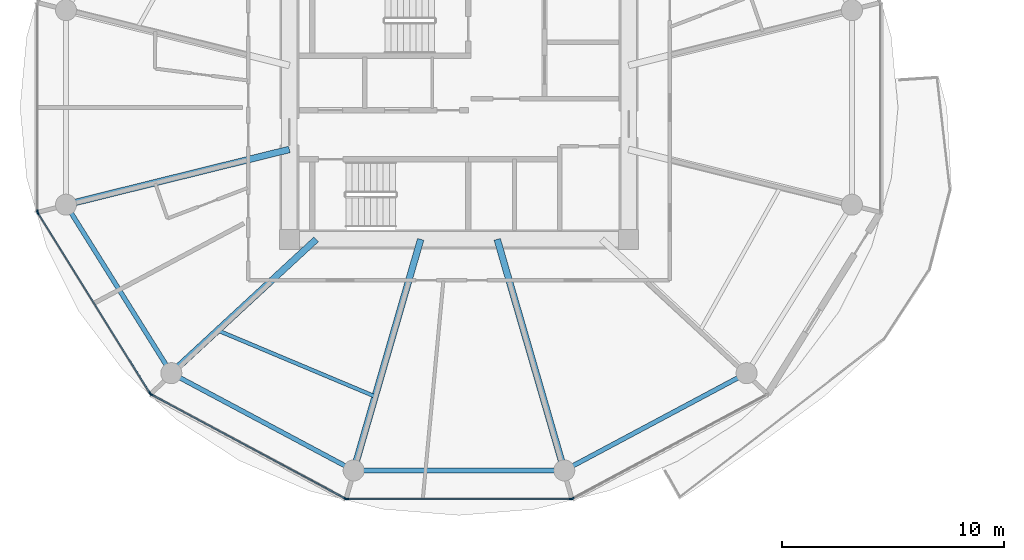
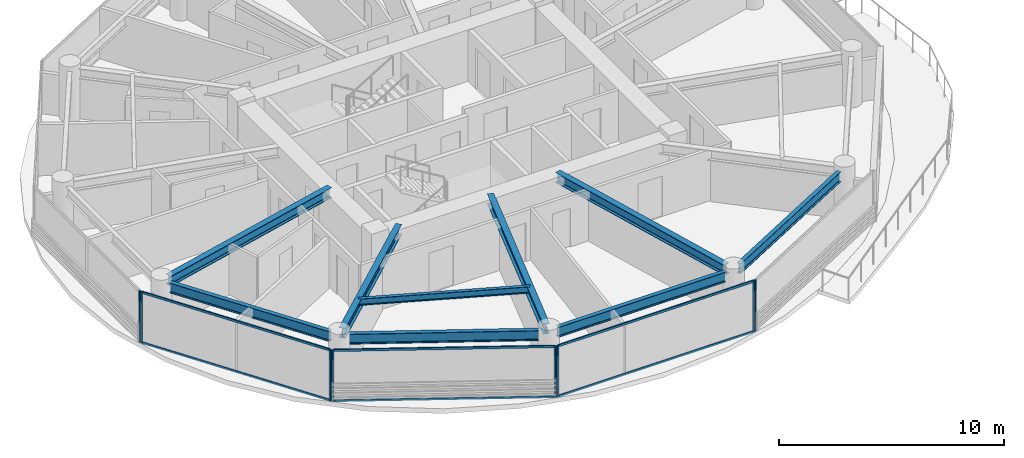
# One storey, part 2 of 26: 14 members, 9 beams, 5 elements without a shape of their own.
"""IFC4 building model written with IfcOpenShell, lengths in metres."""

from ifc_helpers import new_model, si_unit, direction, frame, origin, origin_2d, place, context, subcontext, project, spatial, rectangle, i_section, extrude, source, transform, mapped, material, layer, layer_set, material_profile, profile_set, type_object, type_shapes, element, aggregate, save


model = new_model("IFC4")

# Units and contexts
model_context = context("Model", 3, precision=1e-05, world=origin(), true_north=direction((0.0, 1.0)))
body_context = subcontext(model_context, "Body", "Model", "MODEL_VIEW")
ifc_project = project(units=[si_unit("LENGTHUNIT", "METRE"), si_unit("AREAUNIT", "SQUARE_METRE"), si_unit("VOLUMEUNIT", "CUBIC_METRE"), si_unit("PLANEANGLEUNIT", "RADIAN"), si_unit("MASSUNIT", "GRAM", prefix="KILO")], contexts=[model_context])

# Site, building, storey
site_placement = place(None, origin())
site = spatial("IfcSite", under=ifc_project, at=site_placement, CompositionType="ELEMENT")
building_placement = place(site_placement, origin())
building = spatial("IfcBuilding", under=site, at=building_placement, Name="Norrkilde Senior Care Towers", CompositionType="ELEMENT")
storey_placement = place(building_placement, frame((0.0, 0.0, 64.300048828125)))
storey = spatial("IfcBuildingStorey", under=building, at=storey_placement, Name="L19", CompositionType="ELEMENT", Elevation=64.300048828125)

# Beams
ifc_material_1 = material(Name="Steel S355", Category="steel")
ifc_material_profile_1 = material_profile(ifc_material_1, i_section(OverallWidth=0.2099609375, OverallDepth=0.550048828125, WebThickness=0.010986328125, FlangeThickness=0.01708984375, FilletRadius=0.02392578125, at=origin_2d()), Name="IPE 550")
ifc_profile_set_1 = profile_set([ifc_material_profile_1], Name="Steel S355")
beam_type_1 = type_object("IfcBeamType", Name="Perimeter Ring Spandrel Z1 IPE550", PredefinedType="SPANDREL", material=ifc_profile_set_1)
shared_shape_1 = source(origin(), body_context, "Body", "SweptSolid", [
    extrude(i_section(OverallWidth=0.2099609375, OverallDepth=0.550048828125, WebThickness=0.010986328125, FlangeThickness=0.01708984375, FilletRadius=0.02392578125, at=origin_2d()), origin(), (0.0, 0.0, 1.0), 8.090576171875),
])
beam_1_placement = place(storey_placement, frame((-45.494140625, -4.755859375, 2.514892578125), z_axis=(0.530004364821, -0.84799491347, 0.0), x_axis=(0.84799491347, 0.530004364821, 0.0)))
element("IfcBeam", 1, at=beam_1_placement, inside=storey, type_object=beam_type_1, Name="L19 Drum W Perimeter Spandrel 07", PredefinedType="SPANDREL", context=body_context, shape_type="MappedRepresentation", body=[
    mapped(shared_shape_1, transform((0.0, 0.0, 0.0), x_axis=(1.0, 0.0, 0.0), y_axis=(0.0, 1.0, 0.0), z_axis=(0.0, 0.0, 1.0), scale=1.0)),
])
ifc_material_profile_2 = material_profile(ifc_material_1, i_section(OverallWidth=0.300048828125, OverallDepth=0.550048828125, WebThickness=0.014892578125, FlangeThickness=0.029052734375, FilletRadius=0.027099609375, at=origin_2d()), Name="HEB 550")
ifc_profile_set_2 = profile_set([ifc_material_profile_2], Name="Steel S355")
beam_type_2 = type_object("IfcBeamType", Name="Radial Floor Beam Z1 HEB550", PredefinedType="BEAM", material=ifc_profile_set_2)
shared_shape_2 = source(origin(), body_context, "Body", "SweptSolid", [
    extrude(i_section(OverallWidth=0.300048828125, OverallDepth=0.550048828125, WebThickness=0.014892578125, FlangeThickness=0.029052734375, FilletRadius=0.027099609375, at=origin_2d()), origin(), (0.0, 0.0, 1.0), 9.94384765625),
])
beam_2_placement = place(storey_placement, frame((-35.64990234375, -1.893310546875, 2.514892578125), z_axis=(-0.970707425182, -0.240264634718, 0.0), x_axis=(0.240264634718, -0.970707425182, 0.0)))
element("IfcBeam", 2, at=beam_2_placement, inside=storey, type_object=beam_type_2, Name="L19 Drum W Radial Floor Beam 07", PredefinedType="BEAM", context=body_context, shape_type="MappedRepresentation", body=[
    mapped(shared_shape_2, transform((0.0, 0.0, 0.0), x_axis=(1.0, 0.0, 0.0), y_axis=(0.0, 1.0, 0.0), z_axis=(0.0, 0.0, 1.0), scale=1.0)),
])
shared_shape_3 = source(origin(), body_context, "Body", "SweptSolid", [
    extrude(i_section(OverallWidth=0.2099609375, OverallDepth=0.550048828125, WebThickness=0.010986328125, FlangeThickness=0.01708984375, FilletRadius=0.02392578125, at=origin_2d()), origin(), (0.0, 0.0, 1.0), 8.452880859375),
])
for number, where, z_axis, x_axis, name in (
    (3, (-40.591552734375, -12.190185546875, 2.514892578125), (0.882368931134, -0.470558252898, 0.0), (0.470558252898, 0.882368931134, 0.0), "L19 Drum W Perimeter Spandrel 08"),
    (4, (-22.866943359375, -16.167724609375, 2.514892578125), (0.882368931134, 0.470558252898, 0.0), (-0.470558252898, 0.882368931134, 0.0), "L19 Drum W Perimeter Spandrel 10"),
):
    element("IfcBeam", number, at=place(storey_placement, frame(where, z_axis=z_axis, x_axis=x_axis)), inside=storey, type_object=beam_type_1, Name=name, PredefinedType="SPANDREL", context=body_context, shape_type="MappedRepresentation", body=[
        mapped(shared_shape_3, transform((0.0, 0.0, 0.0), x_axis=(1.0, 0.0, 0.0), y_axis=(0.0, 1.0, 0.0), z_axis=(0.0, 0.0, 1.0), scale=1.0)),
    ])
shared_shape_4 = source(origin(), body_context, "Body", "SweptSolid", [
    extrude(i_section(OverallWidth=0.300048828125, OverallDepth=0.550048828125, WebThickness=0.014892578125, FlangeThickness=0.029052734375, FilletRadius=0.027099609375, at=origin_2d()), origin(), (0.0, 0.0, 1.0), 8.459716796875),
])
beam_3_placement = place(storey_placement, frame((-34.44140625, -5.949951171875, 2.514892578125), z_axis=(-0.734573269108, -0.678529374686, 0.0), x_axis=(0.678529374686, -0.734573269108, 0.0)))
element("IfcBeam", 5, at=beam_3_placement, inside=storey, type_object=beam_type_2, Name="L19 Drum W Radial Floor Beam 08", PredefinedType="BEAM", context=body_context, shape_type="MappedRepresentation", body=[
    mapped(shared_shape_4, transform((0.0, 0.0, 0.0), x_axis=(1.0, 0.0, 0.0), y_axis=(0.0, 1.0, 0.0), z_axis=(0.0, 0.0, 1.0), scale=1.0)),
])
shared_shape_5 = source(origin(), body_context, "Body", "SweptSolid", [
    extrude(i_section(OverallWidth=0.2099609375, OverallDepth=0.550048828125, WebThickness=0.010986328125, FlangeThickness=0.01708984375, FilletRadius=0.02392578125, at=origin_2d()), origin(), (0.0, 0.0, 1.0), 8.62841796875),
])
type_shapes(beam_type_1, [shared_shape_1, shared_shape_3, shared_shape_5])
beam_4_placement = place(storey_placement, frame((-32.314208984375, -16.37255859375, 2.514892578125), z_axis=(1.0, 0.0, 0.0), x_axis=(0.0, 1.0, 0.0)))
element("IfcBeam", 6, at=beam_4_placement, inside=storey, type_object=beam_type_1, Name="L19 Drum W Perimeter Spandrel 09", PredefinedType="SPANDREL", context=body_context, shape_type="MappedRepresentation", body=[
    mapped(shared_shape_5, transform((0.0, 0.0, 0.0), x_axis=(1.0, 0.0, 0.0), y_axis=(0.0, 1.0, 0.0), z_axis=(0.0, 0.0, 1.0), scale=1.0)),
])
shared_shape_6 = source(origin(), body_context, "Body", "SweptSolid", [
    extrude(i_section(OverallWidth=0.300048828125, OverallDepth=0.550048828125, WebThickness=0.014892578125, FlangeThickness=0.029052734375, FilletRadius=0.027099609375, at=origin_2d()), origin(), (0.0, 0.0, 1.0), 10.4169921875),
])
type_shapes(beam_type_2, [shared_shape_2, shared_shape_4, shared_shape_6])
for number, where, z_axis, x_axis, name in (
    (7, (-29.72607421875, -5.949951171875, 2.514892578125), (-0.278591250785, -0.960409764104, 0.0), (0.960409764104, -0.278591250785, 0.0), "L19 Drum W Radial Floor Beam 09"),
    (8, (-26.27392578125, -5.949951171875, 2.514892578125), (0.278591250785, -0.960409764104, 0.0), (0.960409764104, 0.278591250785, 0.0), "L19 Drum W Radial Floor Beam 10"),
):
    element("IfcBeam", number, at=place(storey_placement, frame(where, z_axis=z_axis, x_axis=x_axis)), inside=storey, type_object=beam_type_2, Name=name, PredefinedType="BEAM", context=body_context, shape_type="MappedRepresentation", body=[
        mapped(shared_shape_6, transform((0.0, 0.0, 0.0), x_axis=(1.0, 0.0, 0.0), y_axis=(0.0, 1.0, 0.0), z_axis=(0.0, 0.0, 1.0), scale=1.0)),
    ])
ifc_material_profile_3 = material_profile(ifc_material_1, i_section(OverallWidth=0.169921875, OverallDepth=0.360107421875, WebThickness=0.008056640625, FlangeThickness=0.0126953125, FilletRadius=0.01806640625, at=origin_2d()), Name="IPE 360")
ifc_profile_set_3 = profile_set([ifc_material_profile_3], Name="Steel S355")
beam_type_3 = type_object("IfcBeamType", Name="Secondary Floor Joist IPE360", PredefinedType="JOIST", material=ifc_profile_set_3)
shared_shape_7 = source(origin(), body_context, "Body", "SweptSolid", [
    extrude(i_section(OverallWidth=0.169921875, OverallDepth=0.360107421875, WebThickness=0.008056640625, FlangeThickness=0.0126953125, FilletRadius=0.01806640625, at=origin_2d()), origin(), (0.0, 0.0, 1.0), 7.703857421875),
])
type_shapes(beam_type_3, [shared_shape_7])
beam_5_placement = place(storey_placement, frame((-38.884521484375, -10.05419921875, 2.60986328125), z_axis=(0.921982784465, -0.387230868023, 0.0), x_axis=(0.387230868023, 0.921982784465, 0.0)))
element("IfcBeam", 9, at=beam_5_placement, inside=storey, type_object=beam_type_3, Name="L19 Drum W Secondary Floor Joist 3", PredefinedType="JOIST", context=body_context, shape_type="MappedRepresentation", body=[
    mapped(shared_shape_7, transform((0.0, 0.0, 0.0), x_axis=(1.0, 0.0, 0.0), y_axis=(0.0, 1.0, 0.0), z_axis=(0.0, 0.0, 1.0), scale=1.0)),
])

# Curtain wall, member
ifc_material_2 = material(Name="Triple Low-E Insulated Glazing", Category="glass")
ifc_layer = layer(ifc_material_2, 0.199951171875)
ifc_layer_set = layer_set([ifc_layer], Name="Triple Low-E Insulated Glazing")
curtain_wall_type = type_object("IfcCurtainWallType", Name="CW2 Zone 1 Memory Care Curtain Wall", PredefinedType="NOTDEFINED", material=ifc_layer_set)
curtain_wall_1_placement = place(storey_placement, origin())
curtain_wall_1 = element("IfcCurtainWall", 10, at=curtain_wall_1_placement, inside=storey, type_object=curtain_wall_type, Name="L19 Drum W Curtain Wall 05", PredefinedType="NOTDEFINED")
ifc_material_3 = material(Name="Anodised Aluminium", Category="aluminium")
ifc_material_profile_4 = material_profile(ifc_material_3, rectangle(XDim=0.06494140625, YDim=0.159912109375, at=origin_2d()), Name="ALU MULL 65x160")
ifc_profile_set_4 = profile_set([ifc_material_profile_4], Name="Anodised Aluminium")
member_type_1 = type_object("IfcMemberType", Name="Curtain Wall Mullion Z1-Z2 65x160", PredefinedType="MULLION", material=ifc_profile_set_4)
shared_shape_8 = source(origin(), body_context, "Body", "SweptSolid", [
    extrude(rectangle(XDim=0.06494140625, YDim=0.159912109375, at=origin_2d()), origin(), (0.0, 0.0, 1.0), 2.7900390625),
])
type_shapes(member_type_1, [shared_shape_8])
member_1_placement = place(storey_placement, frame((-47.009521484375, -4.69873046875, 0.0), z_axis=(0.0, 0.0, 1.0), x_axis=(-1.0, 0.0, 0.0)))
member_1 = element("IfcMember", 11, at=member_1_placement, type_object=member_type_1, Name="CW-2 mullion 1", PredefinedType="MULLION", context=body_context, shape_type="MappedRepresentation", body=[
    mapped(shared_shape_8, transform((0.0, 0.0, 0.0), x_axis=(1.0, 0.0, 0.0), y_axis=(0.0, 1.0, 0.0), z_axis=(0.0, 0.0, 1.0), scale=1.0)),
])
aggregate(curtain_wall_1, [member_1])

# Curtain wall, members
curtain_wall_2_placement = place(storey_placement, origin())
curtain_wall_2 = element("IfcCurtainWall", 12, at=curtain_wall_2_placement, inside=storey, type_object=curtain_wall_type, Name="L19 Drum W Curtain Wall 06", PredefinedType="NOTDEFINED")
member_2_placement = place(storey_placement, frame((-41.93310546875, -12.898193359375, 0.0), z_axis=(0.0, 0.0, 1.0), x_axis=(-0.849305943117, -0.527900951871, 0.0)))
member_2 = element("IfcMember", 13, at=member_2_placement, type_object=member_type_1, Name="CW-2 mullion 1", PredefinedType="MULLION", context=body_context, shape_type="MappedRepresentation", body=[
    mapped(shared_shape_8, transform((0.0, 0.0, 0.0), x_axis=(1.0, 0.0, 0.0), y_axis=(0.0, 1.0, 0.0), z_axis=(0.0, 0.0, 1.0), scale=1.0)),
])
member_3_placement = place(storey_placement, frame((-46.9921875, -4.7587890625, 0.0), z_axis=(0.0, 0.0, 1.0), x_axis=(-0.849305943117, -0.527900951871, 0.0)))
member_3 = element("IfcMember", 14, at=member_3_placement, type_object=member_type_1, Name="CW-2 mullion 2", PredefinedType="MULLION", context=body_context, shape_type="MappedRepresentation", body=[
    mapped(shared_shape_8, transform((0.0, 0.0, 0.0), x_axis=(1.0, 0.0, 0.0), y_axis=(0.0, 1.0, 0.0), z_axis=(0.0, 0.0, 1.0), scale=1.0)),
])

curtain_wall_3_placement = place(storey_placement, origin())
curtain_wall_3 = element("IfcCurtainWall", 15, at=curtain_wall_3_placement, inside=storey, type_object=curtain_wall_type, Name="L19 Drum W Curtain Wall 07", PredefinedType="NOTDEFINED")
member_4_placement = place(storey_placement, frame((-33.122314453125, -17.641845703125, 0.0), z_axis=(0.0, 0.0, 1.0), x_axis=(-0.472607802456, -0.881272866403, 0.0)))
member_4 = element("IfcMember", 16, at=member_4_placement, type_object=member_type_1, Name="CW-2 mullion 1", PredefinedType="MULLION", context=body_context, shape_type="MappedRepresentation", body=[
    mapped(shared_shape_8, transform((0.0, 0.0, 0.0), x_axis=(1.0, 0.0, 0.0), y_axis=(0.0, 1.0, 0.0), z_axis=(0.0, 0.0, 1.0), scale=1.0)),
])
member_5_placement = place(storey_placement, frame((-41.88720703125, -12.941162109375, 0.0), z_axis=(0.0, 0.0, 1.0), x_axis=(-0.472607802456, -0.881272866403, 0.0)))
member_5 = element("IfcMember", 17, at=member_5_placement, type_object=member_type_1, Name="CW-2 mullion 2", PredefinedType="MULLION", context=body_context, shape_type="MappedRepresentation", body=[
    mapped(shared_shape_8, transform((0.0, 0.0, 0.0), x_axis=(1.0, 0.0, 0.0), y_axis=(0.0, 1.0, 0.0), z_axis=(0.0, 0.0, 1.0), scale=1.0)),
])

curtain_wall_4_placement = place(storey_placement, origin())
curtain_wall_4 = element("IfcCurtainWall", 18, at=curtain_wall_4_placement, inside=storey, type_object=curtain_wall_type, Name="L19 Drum W Curtain Wall 08", PredefinedType="NOTDEFINED")
member_6_placement = place(storey_placement, frame((-22.93896484375, -17.6572265625, 0.0), z_axis=(0.0, 0.0, 1.0), x_axis=(0.0, -1.0, 0.0)))
member_6 = element("IfcMember", 19, at=member_6_placement, type_object=member_type_1, Name="CW-2 mullion 1", PredefinedType="MULLION", context=body_context, shape_type="MappedRepresentation", body=[
    mapped(shared_shape_8, transform((0.0, 0.0, 0.0), x_axis=(1.0, 0.0, 0.0), y_axis=(0.0, 1.0, 0.0), z_axis=(0.0, 0.0, 1.0), scale=1.0)),
])
member_7_placement = place(storey_placement, frame((-33.06103515625, -17.6572265625, 0.0), z_axis=(0.0, 0.0, 1.0), x_axis=(0.0, -1.0, 0.0)))
member_7 = element("IfcMember", 20, at=member_7_placement, type_object=member_type_1, Name="CW-2 mullion 2", PredefinedType="MULLION", context=body_context, shape_type="MappedRepresentation", body=[
    mapped(shared_shape_8, transform((0.0, 0.0, 0.0), x_axis=(1.0, 0.0, 0.0), y_axis=(0.0, 1.0, 0.0), z_axis=(0.0, 0.0, 1.0), scale=1.0)),
])

# Curtain wall, member
curtain_wall_5_placement = place(storey_placement, origin())
curtain_wall_5 = element("IfcCurtainWall", 21, at=curtain_wall_5_placement, inside=storey, type_object=curtain_wall_type, Name="L19 Drum W Curtain Wall 09", PredefinedType="NOTDEFINED")
member_8_placement = place(storey_placement, frame((-22.877685546875, -17.641845703125, 0.0), z_axis=(0.0, 0.0, 1.0), x_axis=(0.472607802456, -0.881272866403, 0.0)))
member_8 = element("IfcMember", 22, at=member_8_placement, type_object=member_type_1, Name="CW-2 mullion 2", PredefinedType="MULLION", context=body_context, shape_type="MappedRepresentation", body=[
    mapped(shared_shape_8, transform((0.0, 0.0, 0.0), x_axis=(1.0, 0.0, 0.0), y_axis=(0.0, 1.0, 0.0), z_axis=(0.0, 0.0, 1.0), scale=1.0)),
])
aggregate(curtain_wall_5, [member_8])

# Member
ifc_material_profile_5 = material_profile(ifc_material_3, rectangle(XDim=0.06005859375, YDim=0.1201171875, at=origin_2d()), Name="ALU TRAN 60x120")
ifc_profile_set_5 = profile_set([ifc_material_profile_5], Name="Anodised Aluminium")
member_type_2 = type_object("IfcMemberType", Name="Curtain Wall Transom Typical 60x120", PredefinedType="USERDEFINED", material=ifc_profile_set_5)
shared_shape_9 = source(origin(), body_context, "Body", "SweptSolid", [
    extrude(rectangle(XDim=0.06005859375, YDim=0.1201171875, at=origin_2d()), origin(), (0.0, 0.0, 1.0), 9.5185546875),
])
member_9_placement = place(storey_placement, frame((-41.9501953125, -12.87060546875, 0.030029296875), z_axis=(-0.527901620669, 0.849305527413, 0.0), x_axis=(-0.849305527413, -0.527901620669, 0.0)))
member_9 = element("IfcMember", 23, at=member_9_placement, type_object=member_type_2, Name="CW-2 transom 1.1", ObjectType="TRANSOM", PredefinedType="USERDEFINED", context=body_context, shape_type="MappedRepresentation", body=[
    mapped(shared_shape_9, transform((0.0, 0.0, 0.0), x_axis=(1.0, 0.0, 0.0), y_axis=(0.0, 1.0, 0.0), z_axis=(0.0, 0.0, 1.0), scale=1.0)),
])

member_10_placement = place(storey_placement, frame((-41.9501953125, -12.87060546875, 2.760009765625), z_axis=(-0.527901620669, 0.849305527413, 0.0), x_axis=(-0.849305527413, -0.527901620669, 0.0)))
member_10 = element("IfcMember", 24, at=member_10_placement, type_object=member_type_2, Name="CW-2 transom 1.2", ObjectType="TRANSOM", PredefinedType="USERDEFINED", context=body_context, shape_type="MappedRepresentation", body=[
    mapped(shared_shape_9, transform((0.0, 0.0, 0.0), x_axis=(1.0, 0.0, 0.0), y_axis=(0.0, 1.0, 0.0), z_axis=(0.0, 0.0, 1.0), scale=1.0)),
])

aggregate(curtain_wall_2, [member_2, member_3, member_9, member_10])

shared_shape_10 = source(origin(), body_context, "Body", "SweptSolid", [
    extrude(rectangle(XDim=0.06005859375, YDim=0.1201171875, at=origin_2d()), origin(), (0.0, 0.0, 1.0), 9.880859375),
])
member_11_placement = place(storey_placement, frame((-33.15087890625, -17.62646484375, 0.030029296875), z_axis=(-0.881267204043, 0.47261836092, 0.0), x_axis=(-0.47261836092, -0.881267204043, 0.0)))
member_11 = element("IfcMember", 25, at=member_11_placement, type_object=member_type_2, Name="CW-2 transom 1.1", ObjectType="TRANSOM", PredefinedType="USERDEFINED", context=body_context, shape_type="MappedRepresentation", body=[
    mapped(shared_shape_10, transform((0.0, 0.0, 0.0), x_axis=(1.0, 0.0, 0.0), y_axis=(0.0, 1.0, 0.0), z_axis=(0.0, 0.0, 1.0), scale=1.0)),
])

member_12_placement = place(storey_placement, frame((-33.15087890625, -17.62646484375, 2.760009765625), z_axis=(-0.881267204043, 0.47261836092, 0.0), x_axis=(-0.47261836092, -0.881267204043, 0.0)))
member_12 = element("IfcMember", 26, at=member_12_placement, type_object=member_type_2, Name="CW-2 transom 1.2", ObjectType="TRANSOM", PredefinedType="USERDEFINED", context=body_context, shape_type="MappedRepresentation", body=[
    mapped(shared_shape_10, transform((0.0, 0.0, 0.0), x_axis=(1.0, 0.0, 0.0), y_axis=(0.0, 1.0, 0.0), z_axis=(0.0, 0.0, 1.0), scale=1.0)),
])

aggregate(curtain_wall_3, [member_4, member_5, member_11, member_12])

shared_shape_11 = source(origin(), body_context, "Body", "SweptSolid", [
    extrude(rectangle(XDim=0.06005859375, YDim=0.1201171875, at=origin_2d()), origin(), (0.0, 0.0, 1.0), 10.05712890625),
])
type_shapes(member_type_2, [shared_shape_9, shared_shape_10, shared_shape_11])
member_13_placement = place(storey_placement, frame((-22.971435546875, -17.6572265625, 0.030029296875), z_axis=(-1.0, 0.0, 0.0), x_axis=(0.0, -1.0, 0.0)))
member_13 = element("IfcMember", 27, at=member_13_placement, type_object=member_type_2, Name="CW-2 transom 1.1", ObjectType="TRANSOM", PredefinedType="USERDEFINED", context=body_context, shape_type="MappedRepresentation", body=[
    mapped(shared_shape_11, transform((0.0, 0.0, 0.0), x_axis=(1.0, 0.0, 0.0), y_axis=(0.0, 1.0, 0.0), z_axis=(0.0, 0.0, 1.0), scale=1.0)),
])

member_14_placement = place(storey_placement, frame((-22.971435546875, -17.6572265625, 2.760009765625), z_axis=(-1.0, 0.0, 0.0), x_axis=(0.0, -1.0, 0.0)))
member_14 = element("IfcMember", 28, at=member_14_placement, type_object=member_type_2, Name="CW-2 transom 1.2", ObjectType="TRANSOM", PredefinedType="USERDEFINED", context=body_context, shape_type="MappedRepresentation", body=[
    mapped(shared_shape_11, transform((0.0, 0.0, 0.0), x_axis=(1.0, 0.0, 0.0), y_axis=(0.0, 1.0, 0.0), z_axis=(0.0, 0.0, 1.0), scale=1.0)),
])

aggregate(curtain_wall_4, [member_6, member_7, member_13, member_14])

save(model, "model.ifc")
